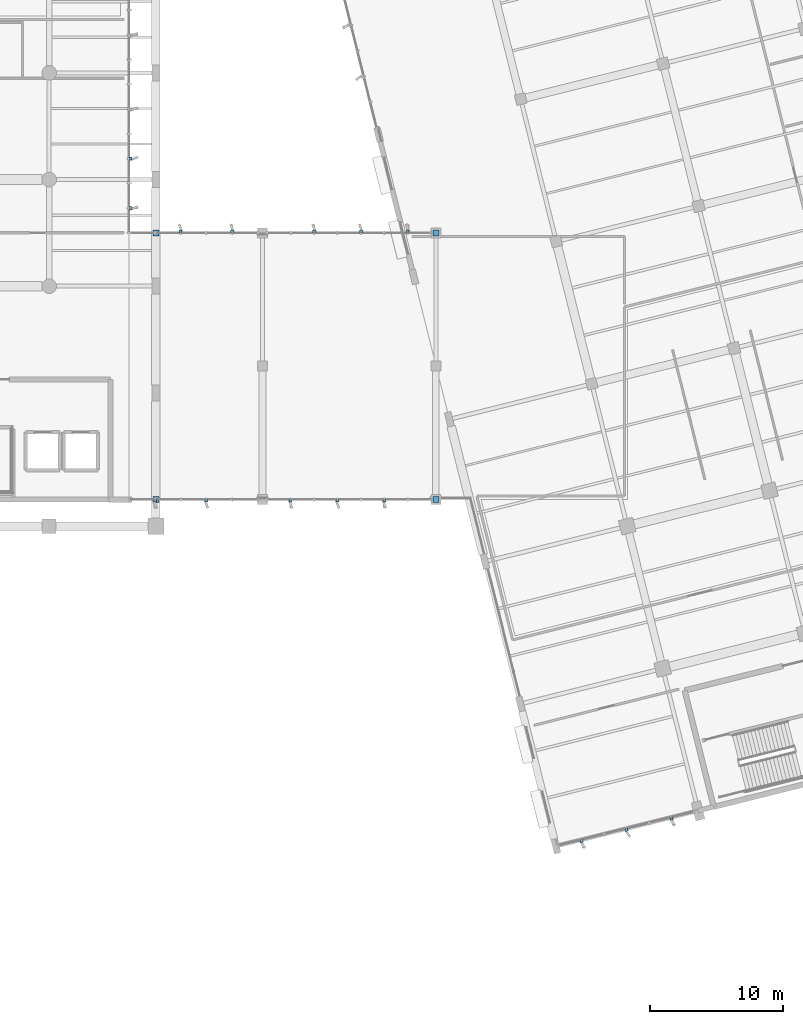
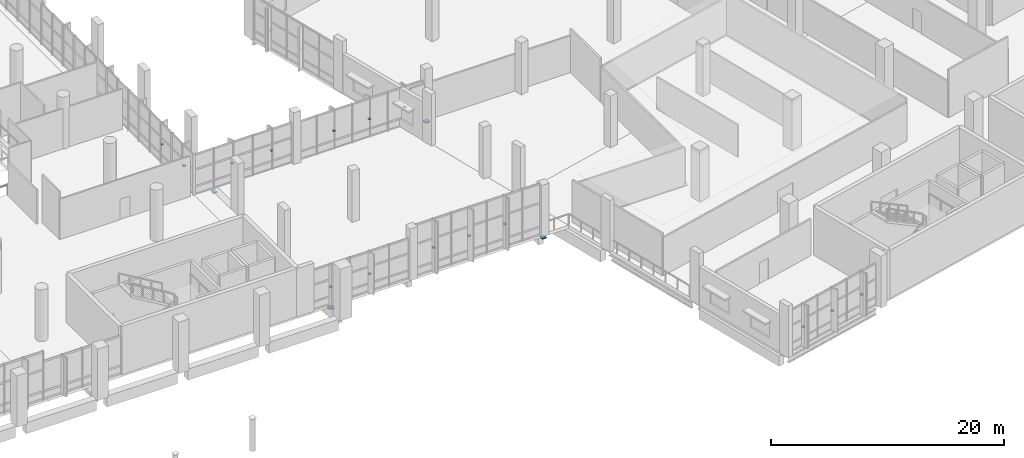
# One storey, part 155 of 176: 19 discrete accessories.
"""IFC4 building model written with IfcOpenShell, lengths in metres."""

from ifc_helpers import new_model, si_unit, direction, frame, origin, origin_2d, place, context, subcontext, project, spatial, rectangle, extrude, material, type_object, element, save


model = new_model("IFC4")

# Units and contexts
model_context = context("Model", 3, precision=1e-05, world=origin(), true_north=direction((0.0, 1.0)))
body_context = subcontext(model_context, "Body", "Model", "MODEL_VIEW")
ifc_project = project(units=[si_unit("LENGTHUNIT", "METRE"), si_unit("AREAUNIT", "SQUARE_METRE"), si_unit("VOLUMEUNIT", "CUBIC_METRE"), si_unit("PLANEANGLEUNIT", "RADIAN"), si_unit("MASSUNIT", "GRAM", prefix="KILO")], contexts=[model_context])

# Site, building, storey
site_placement = place(None, origin())
site = spatial("IfcSite", under=ifc_project, at=site_placement, CompositionType="ELEMENT")
building_placement = place(site_placement, origin())
building = spatial("IfcBuilding", under=site, at=building_placement, Name="Khorjan Park Terminus", CompositionType="ELEMENT")
storey_placement = place(building_placement, frame((0.0, 0.0, 6.0)))
storey = spatial("IfcBuildingStorey", under=building, at=storey_placement, Name="L01", CompositionType="ELEMENT", Elevation=6.0)

# Discrete accessories
ifc_material = material(Name="Steel S355", Category="steel")
discrete_accessory_type_1 = type_object("IfcDiscreteAccessoryType", Name="ACC-BRK-FIN", PredefinedType="BRACKET", material=ifc_material)
for number, where, z_axis, x_axis, name in (
    (1, (134.09, 49.8571, 1.8267), (0.0, 0.0, 1.0), (0.0, 1.0, 0.0), "Solar fin structural bracket BK-01 (CW-V2-E-L01-02-1)"),
    (2, (134.09, 53.5714, 1.8267), (0.0, 0.0, 1.0), (0.0, 1.0, 0.0), "Solar fin structural bracket BK-01 (CW-V2-E-L01-02-3)"),
    (3, (135.929, 27.91, 1.8313), (0.0, 0.0, 1.0), (1.0, 0.0, 0.0), "Solar fin structural bracket BK-01 (CW-V5L-S-L01-1-1)"),
    (4, (139.787, 27.91, 1.8313), (0.0, 0.0, 1.0), (1.0, 0.0, 0.0), "Solar fin structural bracket BK-01 (CW-V5L-S-L01-1-3)"),
    (5, (141.716, 48.09, 1.8313), (0.0, 0.0, 1.0), (-1.0, 0.0, 0.0), "Solar fin structural bracket BK-01 (CW-V5L-N-L01-1-1)"),
    (6, (137.858, 48.09, 1.8313), (0.0, 0.0, 1.0), (-1.0, 0.0, 0.0), "Solar fin structural bracket BK-01 (CW-V5L-N-L01-1-3)"),
    (7, (146.1107, 27.91, 2.36), (0.0, 0.0, 1.0), (1.0, 0.0, 0.0), "Solar fin structural bracket BK-01 (CW-V5L-S-L01-2-1)"),
    (8, (149.6221, 27.91, 2.36), (0.0, 0.0, 1.0), (1.0, 0.0, 0.0), "Solar fin structural bracket BK-01 (CW-V5L-S-L01-2-3)"),
    (9, (153.1336, 27.91, 2.36), (0.0, 0.0, 1.0), (1.0, 0.0, 0.0), "Solar fin structural bracket BK-01 (CW-V5L-S-L01-2-5)"),
    (10, (154.8893, 48.09, 1.7547), (0.0, 0.0, 1.0), (-1.0, 0.0, 0.0), "Solar fin structural bracket BK-01 (CW-V5L-N-L01-2-1)"),
    (11, (151.3779, 48.09, 1.7547), (0.0, 0.0, 1.0), (-1.0, 0.0, 0.0), "Solar fin structural bracket BK-01 (CW-V5L-N-L01-2-3)"),
    (12, (147.8664, 48.09, 1.7547), (0.0, 0.0, 1.0), (-1.0, 0.0, 0.0), "Solar fin structural bracket BK-01 (CW-V5L-N-L01-2-5)"),
    (13, (167.9333, 2.3892, 1.9033), (0.0, 0.0, 1.0), (0.970295567478, 0.241922532503, 0.0), "Solar fin structural bracket BK-01 (CW-V5-S-L01-B01-1)"),
    (14, (171.3098, 3.2311, 1.9033), (0.0, 0.0, 1.0), (0.970295567478, 0.241922532503, 0.0), "Solar fin structural bracket BK-01 (CW-V5-S-L01-B01-3)"),
    (15, (174.6863, 4.073, 1.9033), (0.0, 0.0, 1.0), (0.970295567478, 0.241922532503, 0.0), "Solar fin structural bracket BK-01 (CW-V5-S-L01-B01-5)"),
):
    element("IfcDiscreteAccessory", number, at=place(storey_placement, frame(where, z_axis=z_axis, x_axis=x_axis)), inside=storey, type_object=discrete_accessory_type_1, Name=name, PredefinedType="BRACKET", context=body_context, shape_type="SweptSolid", body=[
        extrude(rectangle(XDim=0.22, YDim=0.22, at=origin_2d()), origin(), (0.0, 0.0, 1.0), 0.14),
    ])
discrete_accessory_type_2 = type_object("IfcDiscreteAccessoryType", Name="ACC-SHOE-PTFE", PredefinedType="SHOE", material=ifc_material)
for number, where, z_axis, x_axis, name in (
    (16, (136.0, 28.0, -0.41), (0.0, 0.0, 1.0), (1.0, 0.0, 0.0), "Unguided PTFE elastomeric movement-joint bearing BRG-01 (9)"),
    (17, (136.0, 48.0, -0.41), (0.0, 0.0, 1.0), (1.0, 0.0, 0.0), "Unguided PTFE elastomeric movement-joint bearing BRG-01 (10)"),
    (18, (157.0, 28.0, -0.41), (0.0, 0.0, 1.0), (1.0, 0.0, 0.0), "Unguided PTFE elastomeric movement-joint bearing BRG-01 (11)"),
    (19, (157.0, 48.0, -0.41), (0.0, 0.0, 1.0), (1.0, 0.0, 0.0), "Unguided PTFE elastomeric movement-joint bearing BRG-01 (12)"),
):
    element("IfcDiscreteAccessory", number, at=place(storey_placement, frame(where, z_axis=z_axis, x_axis=x_axis)), inside=storey, type_object=discrete_accessory_type_2, Name=name, PredefinedType="SHOE", context=body_context, shape_type="SweptSolid", body=[
        extrude(rectangle(XDim=0.45, YDim=0.45, at=origin_2d()), origin(), (0.0, 0.0, 1.0), 0.08),
    ])

save(model, "model.ifc")
